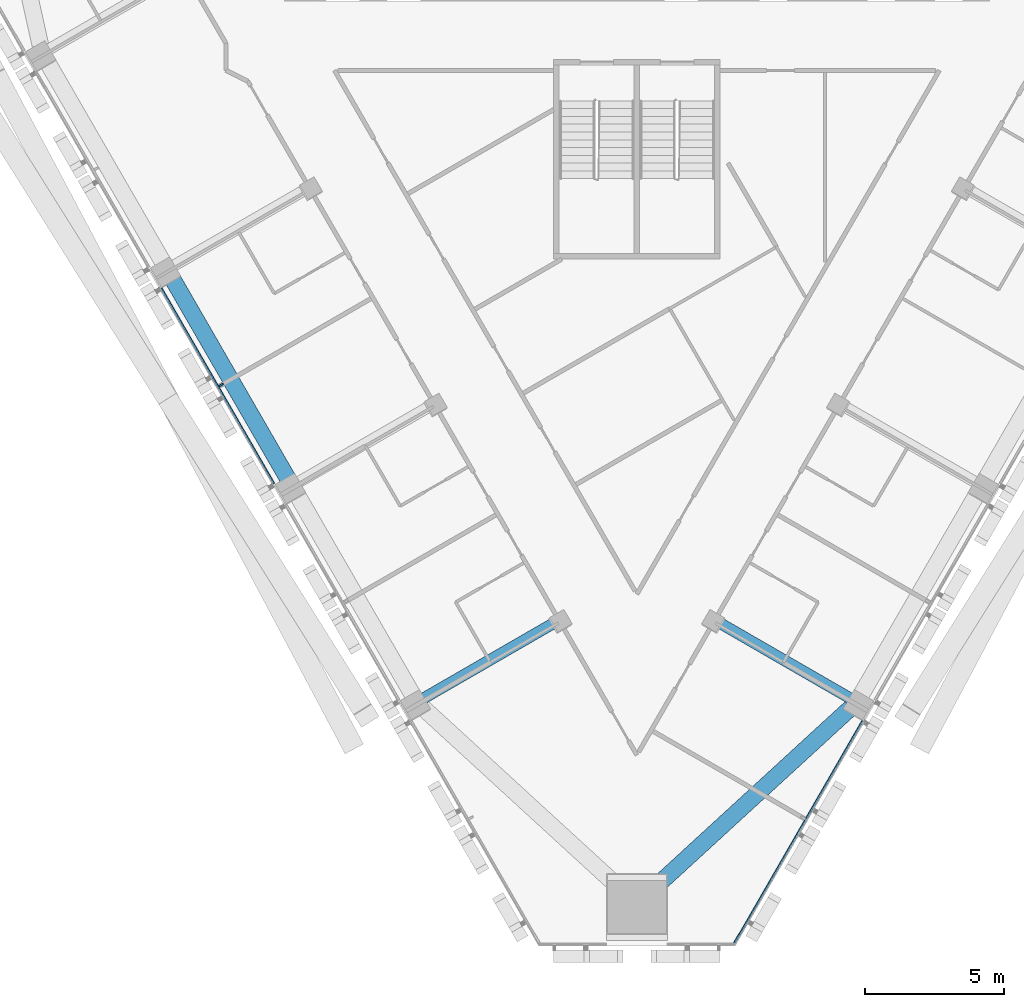
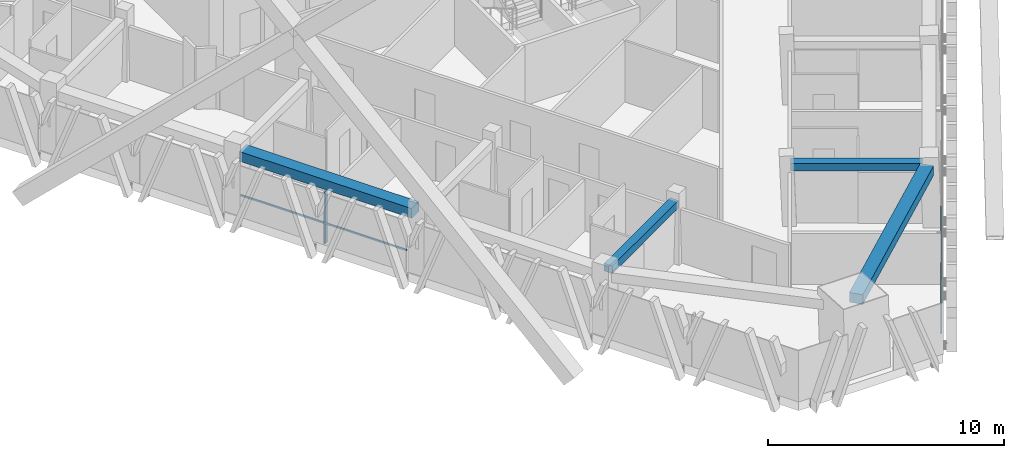
# One storey, part 3 of 18: 4 beams, 3 members, 2 elements without a shape of their own.
"""IFC4 building model written with IfcOpenShell, lengths in metres."""

from ifc_helpers import new_model, si_unit, direction, frame, origin, origin_2d, place, context, subcontext, project, spatial, rectangle, extrude, material, layer, layer_set, material_profile, profile_set, type_object, element, aggregate, save


model = new_model("IFC4")

# Units and contexts
model_context = context("Model", 3, precision=1e-05, world=origin(), true_north=direction((0.0, 1.0)))
body_context = subcontext(model_context, "Body", "Model", "MODEL_VIEW")
ifc_project = project(units=[si_unit("LENGTHUNIT", "METRE"), si_unit("AREAUNIT", "SQUARE_METRE"), si_unit("VOLUMEUNIT", "CUBIC_METRE"), si_unit("PLANEANGLEUNIT", "RADIAN"), si_unit("MASSUNIT", "GRAM", prefix="KILO")], contexts=[model_context])

# Site, building, storey
site_placement = place(None, origin())
site = spatial("IfcSite", under=ifc_project, at=site_placement, CompositionType="ELEMENT")
building_placement = place(site_placement, origin())
building = spatial("IfcBuilding", under=site, at=building_placement, Name="Altiplano Prism Tower", CompositionType="ELEMENT")
storey_placement = place(building_placement, frame((0.0, 0.0, 163.800048828125)))
storey = spatial("IfcBuildingStorey", under=building, at=storey_placement, Name="L42", CompositionType="ELEMENT", Elevation=163.800048828125)

# Curtain wall, members
ifc_material_1 = material(Name="Aluminium and glass", Category="aluminium")
ifc_layer = layer(ifc_material_1, 0.280029296875)
ifc_layer_set = layer_set([ifc_layer], Name="Aluminium and glass")
curtain_wall_type = type_object("IfcCurtainWallType", Name="CW1 typical co-living unitised curtain wall", PredefinedType="NOTDEFINED", material=ifc_layer_set)
curtain_wall_1_placement = place(storey_placement, origin())
curtain_wall_1 = element("IfcCurtainWall", 1, at=curtain_wall_1_placement, inside=storey, type_object=curtain_wall_type, Name="CW1 curtain wall south-west face L42", PredefinedType="NOTDEFINED")
ifc_material_2 = material(Name="Aluminium", Category="aluminium")
ifc_material_profile_1 = material_profile(ifc_material_2, rectangle(XDim=0.179931640625, YDim=0.06494140625, at=origin_2d()), Name="CW1 mullion 65 x 180")
ifc_profile_set_1 = profile_set([ifc_material_profile_1], Name="Aluminium")
member_type_1 = type_object("IfcMemberType", Name="CW1 mullion 65 x 180", PredefinedType="MULLION", material=ifc_profile_set_1)
member_1_placement = place(storey_placement, frame((70.017578125, 78.85986328125, 0.0), z_axis=(0.0, 0.0, 1.0), x_axis=(0.866025400931, 0.500000004943, 0.0)))
member_1 = element("IfcMember", 2, at=member_1_placement, type_object=member_type_1, Name="CW1 mullion", PredefinedType="MULLION", context=body_context, shape_type="SweptSolid", body=[
    extrude(rectangle(XDim=0.179931640625, YDim=0.06494140625, at=origin_2d()), origin(), (0.0, 0.0, 1.0), 2.64990234375),
])
ifc_material_profile_2 = material_profile(ifc_material_2, rectangle(XDim=0.06005859375, YDim=0.080078125, at=origin_2d()), Name="CW1 transom 80 x 60")
ifc_profile_set_2 = profile_set([ifc_material_profile_2], Name="Aluminium")
member_type_2 = type_object("IfcMemberType", Name="CW1 transom 80 x 60", PredefinedType="USERDEFINED", material=ifc_profile_set_2)
member_2_placement = place(storey_placement, frame((67.864013671875, 82.349853515625, 1.099853515625), z_axis=(0.499990533176, -0.866030869389, 0.0), x_axis=(0.866030869389, 0.499990533176, 0.0)))
member_2 = element("IfcMember", 3, at=member_2_placement, type_object=member_type_2, Name="CW1 transom", ObjectType="TRANSOM", PredefinedType="USERDEFINED", context=body_context, shape_type="SweptSolid", body=[
    extrude(rectangle(XDim=0.06005859375, YDim=0.080078125, at=origin_2d()), origin(), (0.0, 0.0, 1.0), 8.119873046875),
])
aggregate(curtain_wall_1, [member_1, member_2])

# Curtain wall, member
curtain_wall_2_placement = place(storey_placement, origin())
curtain_wall_2 = element("IfcCurtainWall", 4, at=curtain_wall_2_placement, inside=storey, type_object=curtain_wall_type, Name="CW1 curtain wall south-east face L42", PredefinedType="NOTDEFINED")
member_3_placement = place(storey_placement, frame((88.47705078125, 58.691650390625, 1.099853515625), z_axis=(0.499985541187, 0.866033751423, 0.0), x_axis=(-0.866033751423, 0.499985541187, 0.0)))
member_3 = element("IfcMember", 5, at=member_3_placement, type_object=member_type_2, Name="CW1 transom", ObjectType="TRANSOM", PredefinedType="USERDEFINED", context=body_context, shape_type="SweptSolid", body=[
    extrude(rectangle(XDim=0.06005859375, YDim=0.080078125, at=origin_2d()), origin(), (0.0, 0.0, 1.0), 9.318115234375),
])
aggregate(curtain_wall_2, [member_3])

# Beams
ifc_material_3 = material(Name="Concrete C60/75", Category="concrete")
ifc_material_profile_3 = material_profile(ifc_material_3, rectangle(XDim=0.60009765625, YDim=0.5, at=origin_2d()), Name="Edge beam 600x500")
ifc_profile_set_3 = profile_set([ifc_material_profile_3], Name="Concrete C60/75")
beam_type_1 = type_object("IfcBeamType", Name="Edge beam 600x500", PredefinedType="SPANDREL", material=ifc_profile_set_3)
beam_1_placement = place(storey_placement, frame((68.212890625, 82.782958984375, 2.89990234375), z_axis=(0.499993714791, -0.866029032521, 0.0), x_axis=(0.866029032521, 0.499993714791, 0.0)))
element("IfcBeam", 6, at=beam_1_placement, inside=storey, type_object=beam_type_1, Name="Edge beam P12-P13 L43", PredefinedType="SPANDREL", context=body_context, shape_type="SweptSolid", body=[
    extrude(rectangle(XDim=0.60009765625, YDim=0.5, at=origin_2d()), origin(), (0.0, 0.0, 1.0), 8.43994140625),
])
beam_2_placement = place(storey_placement, frame((85.33154296875, 60.471435546875, 2.89990234375), z_axis=(0.737016390972, 0.675874869661, 0.0), x_axis=(-0.675874869661, 0.737016390972, 0.0)))
element("IfcBeam", 7, at=beam_2_placement, inside=storey, type_object=beam_type_1, Name="Edge beam M1-P21 L43", PredefinedType="SPANDREL", context=body_context, shape_type="SweptSolid", body=[
    extrude(rectangle(XDim=0.60009765625, YDim=0.5, at=origin_2d()), origin(), (0.0, 0.0, 1.0), 10.006591796875),
])
ifc_material_profile_4 = material_profile(ifc_material_3, rectangle(XDim=0.39990234375, YDim=0.39990234375, at=origin_2d()), Name="Tie beam 400x400")
ifc_profile_set_4 = profile_set([ifc_material_profile_4], Name="Concrete C60/75")
beam_type_2 = type_object("IfcBeamType", Name="Tie beam 400x400", PredefinedType="BEAM", material=ifc_profile_set_4)
for number, where, z_axis, x_axis, name in (
    (8, (82.15625, 70.3720703125, 2.949951171875), (-0.866011758658, -0.500023633308, 0.0), (0.500023633308, -0.866011758658, 0.0), "Tie beam I14 L43"),
    (9, (87.84375, 70.3720703125, 2.949951171875), (0.866011758658, -0.500023633308, 0.0), (0.500023633308, 0.866011758658, 0.0), "Tie beam I21 L43"),
):
    element("IfcBeam", number, at=place(storey_placement, frame(where, z_axis=z_axis, x_axis=x_axis)), inside=storey, type_object=beam_type_2, Name=name, PredefinedType="BEAM", context=body_context, shape_type="SweptSolid", body=[
        extrude(rectangle(XDim=0.39990234375, YDim=0.39990234375, at=origin_2d()), origin(), (0.0, 0.0, 1.0), 5.590087890625),
    ])

save(model, "model.ifc")
